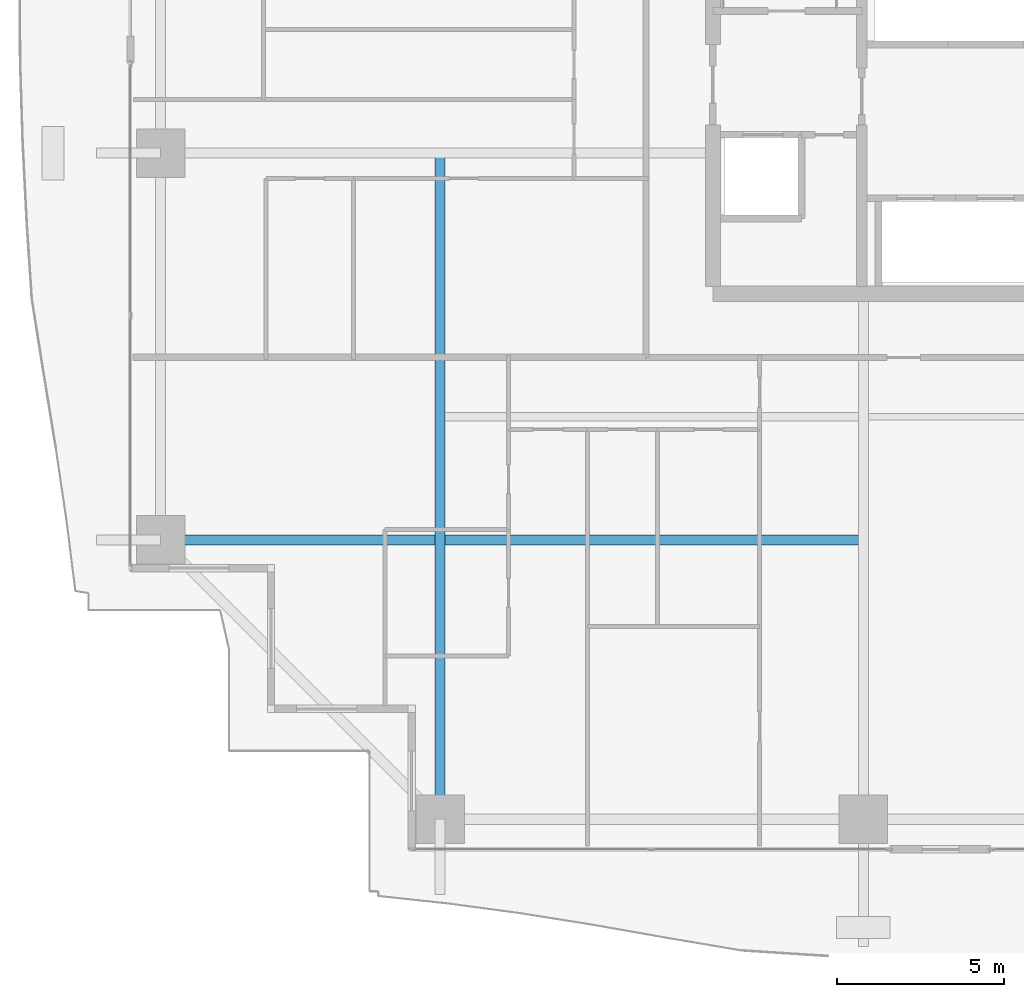
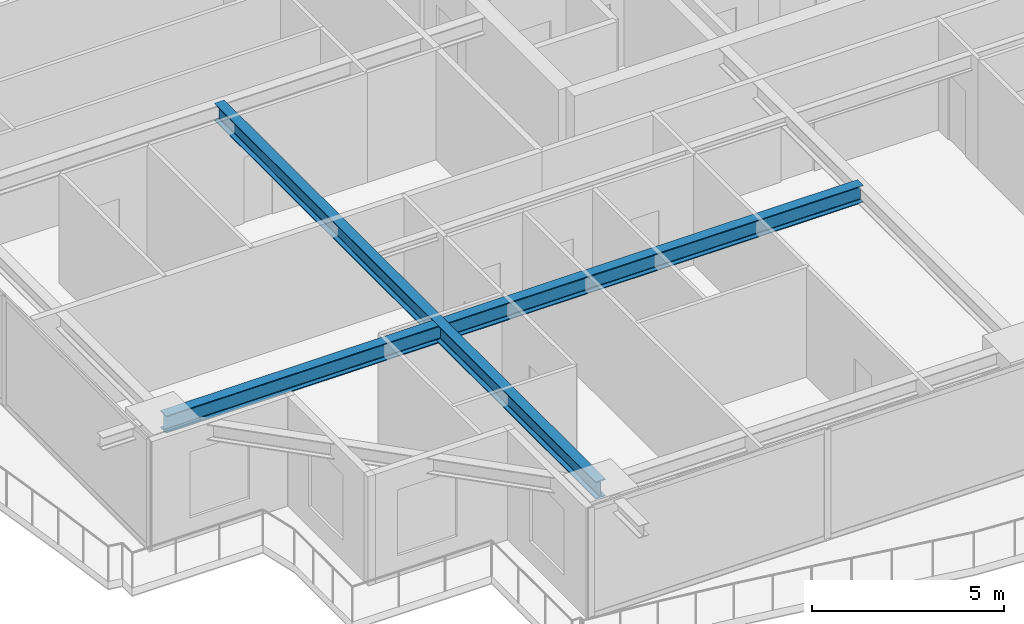
# One storey, part 4 of 40: 2 beams.
"""IFC4 building model written with IfcOpenShell, lengths in metres."""

import ifcopenshell
import ifcopenshell.guid

model = None  # the IFC model being written
_history = None  # IfcOwnerHistory: only IFC2X3 demands one
_inside = {}  # id of a spatial element -> (the spatial element, [elements in it])
_under = {}  # id of a project, library or spatial element -> (it, [spatial elements below it])
_declared = {}  # id of a project -> (the project, [libraries it declares])
_typed = {}  # id of a type object -> (the type object, [elements of that type])
_made_of = {}  # id of a material, layer set ... -> (it, [elements and type objects made of it])


def new_model(schema):
    """Start an empty IFC model of exactly this schema.

    Asked for "IFC4X3", IfcOpenShell would pick the latest addendum, in which some entities
    have other attributes; the version numbers below select the first issue.
    IFC2X3 requires an IfcOwnerHistory on every rooted entity: one is made here for all.
    """
    global model, _history
    if schema == "IFC4X3":
        model = ifcopenshell.file(schema_version=(4, 3, 0, 0))
    else:
        model = ifcopenshell.file(schema=schema)
    _inside.clear()
    _under.clear()
    _declared.clear()
    _typed.clear()
    _made_of.clear()
    _history = None
    if model.schema == "IFC2X3":
        org = make("IfcOrganization", Name="unknown")
        user = make(
            "IfcPersonAndOrganization",
            ThePerson=make("IfcPerson", FamilyName="unknown"),
            TheOrganization=org,
        )
        app = make(
            "IfcApplication",
            ApplicationDeveloper=org,
            Version="unknown",
            ApplicationFullName="unknown",
            ApplicationIdentifier="unknown",
        )
        _history = make(
            "IfcOwnerHistory",
            OwningUser=user,
            OwningApplication=app,
            ChangeAction="ADDED",
            CreationDate=0,
        )
    return model


def make(cls, **values):
    """One entity of the class cls with the attributes given. An attribute that is None is left unset."""
    return model.create_entity(
        cls, **{name: value for name, value in values.items() if value is not None}
    )


def rooted(cls, **values):
    """An entity with a GlobalId (a new one), such as an element, a storey or a relation."""
    return make(cls, GlobalId=ifcopenshell.guid.new(), OwnerHistory=_history, **values)


def si_unit(unit_type, name, prefix=None):
    """IfcSIUnit, for example si_unit("LENGTHUNIT", "METRE", prefix="MILLI")."""
    return make("IfcSIUnit", UnitType=unit_type, Prefix=prefix, Name=name)


def assignment(units):
    """IfcUnitAssignment: the units of a project."""
    return None if units is None else make("IfcUnitAssignment", Units=units)


def point(xyz):
    """IfcCartesianPoint."""
    return None if xyz is None else make("IfcCartesianPoint", Coordinates=xyz)


def direction(xyz):
    """IfcDirection."""
    return None if xyz is None else make("IfcDirection", DirectionRatios=xyz)


def frame(location, z_axis=None, x_axis=None):
    """IfcAxis2Placement3D, a coordinate frame: its origin and axes. An axis left out is left unset."""
    return make(
        "IfcAxis2Placement3D",
        Location=point(location),
        Axis=direction(z_axis),
        RefDirection=direction(x_axis),
    )


def frame_2d(location, x_axis=None):
    """IfcAxis2Placement2D, a coordinate frame in the plane: its origin and x axis."""
    return make(
        "IfcAxis2Placement2D", Location=point(location), RefDirection=direction(x_axis)
    )


def origin():
    """The frame at (0, 0, 0) with its axes left unset."""
    return frame((0.0, 0.0, 0.0))


def origin_2d():
    """The frame at (0, 0) in the plane with its x axis left unset."""
    return frame_2d((0.0, 0.0))


def place(relative_to, where):
    """IfcLocalPlacement: puts the frame where relative to a parent placement (None: the world)."""
    return make(
        "IfcLocalPlacement", PlacementRelTo=relative_to, RelativePlacement=where
    )


def context(
    kind, dimensions, precision=None, world=None, true_north=None, identifier=None
):
    """IfcGeometricRepresentationContext, for example the 3D "Model" context."""
    return make(
        "IfcGeometricRepresentationContext",
        ContextIdentifier=identifier,
        ContextType=kind,
        CoordinateSpaceDimension=dimensions,
        Precision=precision,
        WorldCoordinateSystem=world,
        TrueNorth=true_north,
    )


def subcontext(parent, identifier, kind, view, scale=None):
    """IfcGeometricRepresentationSubContext, for example "Body" below "Model"."""
    return make(
        "IfcGeometricRepresentationSubContext",
        ContextIdentifier=identifier,
        ContextType=kind,
        ParentContext=parent,
        TargetScale=scale,
        TargetView=view,
    )


def project(units=None, contexts=None):
    """IfcProject with its units and contexts."""
    return rooted(
        "IfcProject",
        Name="project",
        RepresentationContexts=contexts,
        UnitsInContext=assignment(units),
    )


def spatial(cls, under=None, at=None, **own):
    """A site, building, storey or space (cls), placed at a placement, below another one or the project."""
    s = rooted(cls, ObjectPlacement=at, **own)
    if under is not None:
        _under.setdefault(under.id(), (under, []))[1].append(s)
    return s


def profile(cls, at=None, kind="AREA", **sizes):
    """A parametric profile (cls). Its sizes go by their IFC names, for example OverallWidth=200.0."""
    return make(cls, ProfileType=kind, Position=at, **sizes)


def i_section(**sizes):
    """IfcIShapeProfileDef."""
    return profile("IfcIShapeProfileDef", **sizes)


def extrude(swept, where, along, depth):
    """IfcExtrudedAreaSolid: the profile swept, set in the frame where, extruded along a direction by depth."""
    return make(
        "IfcExtrudedAreaSolid",
        SweptArea=swept,
        Position=where,
        ExtrudedDirection=direction(along),
        Depth=depth,
    )


def shape(context_of_items, identifier, shape_type, items):
    """IfcShapeRepresentation: the items that make up one representation, for example the "Body"."""
    return make(
        "IfcShapeRepresentation",
        ContextOfItems=context_of_items,
        RepresentationIdentifier=identifier,
        RepresentationType=shape_type,
        Items=items,
    )


def source(mapping_origin, context_of_items, identifier, shape_type, items):
    """IfcRepresentationMap: a shape defined once, which mapped items show again and again."""
    return make(
        "IfcRepresentationMap",
        MappingOrigin=mapping_origin,
        MappedRepresentation=shape(context_of_items, identifier, shape_type, items),
    )


def transform(
    local_origin,
    x_axis=None,
    y_axis=None,
    z_axis=None,
    scale=None,
    scale2=None,
    scale3=None,
    uniform=True,
):
    """IfcCartesianTransformationOperator3D, or its non-uniform kind. x_axis, y_axis, z_axis: its Axis1, 2, 3."""
    if uniform:
        return make(
            "IfcCartesianTransformationOperator3D",
            Axis1=direction(x_axis),
            Axis2=direction(y_axis),
            LocalOrigin=point(local_origin),
            Scale=scale,
            Axis3=direction(z_axis),
        )
    return make(
        "IfcCartesianTransformationOperator3DnonUniform",
        Axis1=direction(x_axis),
        Axis2=direction(y_axis),
        LocalOrigin=point(local_origin),
        Scale=scale,
        Axis3=direction(z_axis),
        Scale2=scale2,
        Scale3=scale3,
    )


def mapped(mapping_source, mapping_target):
    """IfcMappedItem: shows the shape of a source again, moved by a transform."""
    return make(
        "IfcMappedItem", MappingSource=mapping_source, MappingTarget=mapping_target
    )


def material(Name=None, Category=None):
    """IfcMaterial."""
    return make("IfcMaterial", Name=Name, Category=Category)


def material_profile(
    of_material, cross_section, Name=None, Category=None, Priority=None
):
    """IfcMaterialProfile: a cross section and its material."""
    return make(
        "IfcMaterialProfile",
        Name=Name,
        Material=of_material,
        Profile=cross_section,
        Priority=Priority,
        Category=Category,
    )


def profile_set(profiles, Name=None, composite=None):
    """IfcMaterialProfileSet."""
    return make(
        "IfcMaterialProfileSet",
        Name=Name,
        MaterialProfiles=profiles,
        CompositeProfile=composite,
    )


def made_of(thing, what):
    """Note that an element or type object is made of a material, layer set ...; save() writes the relation."""
    if what is not None:
        _made_of.setdefault(what.id(), (what, []))[1].append(thing)
    return thing


def type_object(cls, material=None, **own):
    """A type object (cls), such as IfcWallType, which elements share."""
    return made_of(rooted(cls, **own), material)


def element(
    cls,
    number,
    at=None,
    inside=None,
    cuts=None,
    type_object=None,
    material=None,
    context=None,
    identifier="Body",
    shape_type=None,
    held_by="IfcProductDefinitionShape",
    body=None,
    shapes=None,
    **own,
):
    """One element of the class cls, such as IfcWall. Its Tag is "e" and its number.

    at: its placement. inside: the storey or other place that contains it. cuts: it is an
    opening in that element (IfcRelVoidsElement). A single representation is given by context,
    identifier, shape_type and body (its items); several are given by shapes. held_by: the class
    of the entity that holds the representations. save() writes the other relations.
    """
    e = rooted(cls, Tag="e%d" % number, ObjectPlacement=at, **own)
    if body is not None:
        shapes = [shape(context, identifier, shape_type, body)]
    if shapes is not None:
        e.Representation = make(held_by, Representations=shapes)
    if inside is not None:
        _inside.setdefault(inside.id(), (inside, []))[1].append(e)
    if cuts is not None:
        rooted(
            "IfcRelVoidsElement", RelatingBuildingElement=cuts, RelatedOpeningElement=e
        )
    if type_object is not None:
        _typed.setdefault(type_object.id(), (type_object, []))[1].append(e)
    return made_of(e, material)


def aggregate(whole, parts):
    """IfcRelAggregates: a whole, such as a stair, and the parts it consists of."""
    return rooted("IfcRelAggregates", RelatingObject=whole, RelatedObjects=parts)


def save(model, path):
    """Write the relations noted so far, then the file.

    IfcRelAggregates (storeys below a building ...), IfcRelContainedInSpatialStructure (elements
    in a storey), IfcRelDefinesByType, IfcRelAssociatesMaterial and IfcRelDeclares: one each for
    every whole, place, type object, material and project.
    """
    for whole, parts in _under.values():
        aggregate(whole, parts)
    for where, things in _inside.values():
        rooted(
            "IfcRelContainedInSpatialStructure",
            RelatedElements=things,
            RelatingStructure=where,
        )
    for kind, things in _typed.values():
        rooted("IfcRelDefinesByType", RelatedObjects=things, RelatingType=kind)
    for what, things in _made_of.values():
        rooted("IfcRelAssociatesMaterial", RelatedObjects=things, RelatingMaterial=what)
    for by, libraries in _declared.values():
        rooted("IfcRelDeclares", RelatingContext=by, RelatedDefinitions=libraries)
    model.write(path)


model = new_model("IFC4")

# Units and contexts
model_context = context("Model", 3, precision=1e-05, world=origin(), true_north=direction((0.0, 1.0)))
body_context = subcontext(model_context, "Body", "Model", "MODEL_VIEW")
ifc_project = project(units=[si_unit("LENGTHUNIT", "METRE"), si_unit("AREAUNIT", "SQUARE_METRE"), si_unit("VOLUMEUNIT", "CUBIC_METRE"), si_unit("PLANEANGLEUNIT", "RADIAN"), si_unit("MASSUNIT", "GRAM", prefix="KILO")], contexts=[model_context])

# Site, building, storey
site_placement = place(None, origin())
site = spatial("IfcSite", under=ifc_project, at=site_placement, CompositionType="ELEMENT")
building_placement = place(site_placement, origin())
building = spatial("IfcBuilding", under=site, at=building_placement, Name="Serunith Strait Residences", CompositionType="ELEMENT")
storey_placement = place(building_placement, frame((0.0, 0.0, 90.449951171875)))
storey = spatial("IfcBuildingStorey", under=building, at=storey_placement, Name="L22", CompositionType="ELEMENT", Elevation=90.449951171875)

# Beams
ifc_material = material(Name="Steel S355J2", Category="steel")
ifc_material_profile = material_profile(ifc_material, i_section(OverallWidth=0.300048828125, OverallDepth=0.550048828125, WebThickness=0.014892578125, FlangeThickness=0.029052734375, FilletRadius=0.027099609375, at=origin_2d()), Name="HEB 550")
ifc_profile_set = profile_set([ifc_material_profile], Name="Steel S355J2")
beam_type = type_object("IfcBeamType", Name="BM-HEB550", PredefinedType="BEAM", material=ifc_profile_set)
shared_shape_1 = source(origin(), body_context, "Body", "SweptSolid", [
    extrude(i_section(OverallWidth=0.300048828125, OverallDepth=0.550048828125, WebThickness=0.014892578125, FlangeThickness=0.029052734375, FilletRadius=0.027099609375, at=origin_2d()), origin(), (0.0, 0.0, 1.0), 19.89990234375),
])
beam_1_placement = place(storey_placement, frame((15.25, 21.0, 3.212158203125), z_axis=(0.0, -1.0, 0.0), x_axis=(1.0, 0.0, 0.0)))
element("IfcBeam", 1, at=beam_1_placement, inside=storey, type_object=beam_type, Name="L22 Orthogonal Corner Girder TC-S1", PredefinedType="BEAM", context=body_context, shape_type="MappedRepresentation", body=[
    mapped(shared_shape_1, transform((0.0, 0.0, 0.0), scale=1.0)),
])
shared_shape_2 = source(origin(), body_context, "Body", "SweptSolid", [
    extrude(i_section(OverallWidth=0.300048828125, OverallDepth=0.550048828125, WebThickness=0.014892578125, FlangeThickness=0.029052734375, FilletRadius=0.027099609375, at=origin_2d()), origin(), (0.0, 0.0, 1.0), 21.0),
])
beam_2_placement = place(storey_placement, frame((27.89990234375, 9.449951171875, 3.212158203125), z_axis=(-1.0, 0.0, 0.0), x_axis=(0.0, -1.0, 0.0)))
element("IfcBeam", 2, at=beam_2_placement, inside=storey, type_object=beam_type, Name="L22 Orthogonal Corner Girder TC-W1", PredefinedType="BEAM", context=body_context, shape_type="MappedRepresentation", body=[
    mapped(shared_shape_2, transform((0.0, 0.0, 0.0), scale=1.0)),
])

save(model, "model.ifc")
